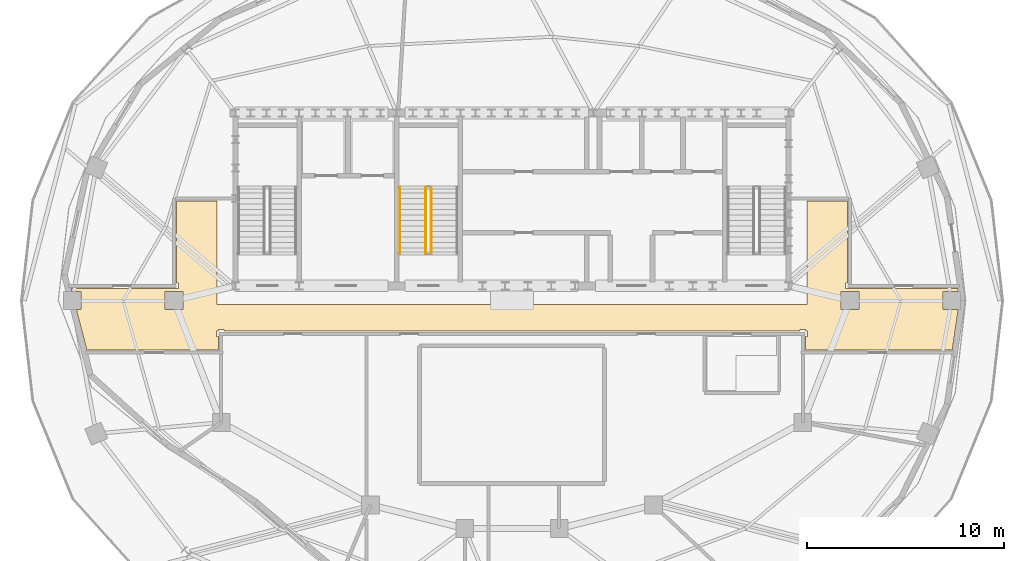
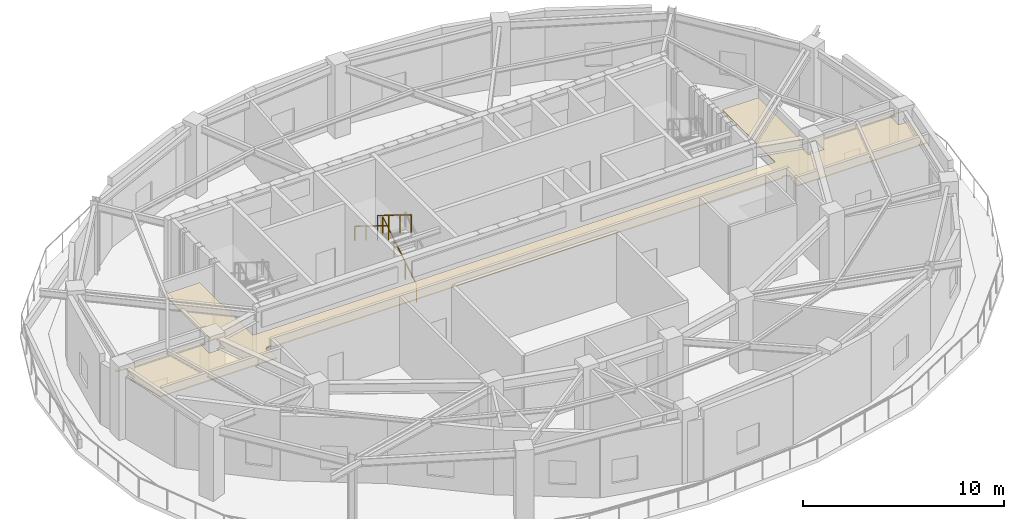
# One storey, part 9 of 10: 3 railings, 1 covering.
"""IFC4 building model written with IfcOpenShell, lengths in metres."""

from ifc_helpers import new_model, si_unit, direction, frame, origin, origin_2d, place, context, subcontext, project, spatial, polyline, rectangle, outline, extrude, material, layer, layer_set, type_object, element, save


model = new_model("IFC4")

# Units and contexts
model_context = context("Model", 3, precision=1e-05, world=origin(), true_north=direction((0.0, 1.0)))
body_context = subcontext(model_context, "Body", "Model", "MODEL_VIEW")
ifc_project = project(units=[si_unit("LENGTHUNIT", "METRE"), si_unit("AREAUNIT", "SQUARE_METRE"), si_unit("VOLUMEUNIT", "CUBIC_METRE"), si_unit("PLANEANGLEUNIT", "RADIAN"), si_unit("MASSUNIT", "GRAM", prefix="KILO")], contexts=[model_context])

# Site, building, storey
site_placement = place(None, origin())
site = spatial("IfcSite", under=ifc_project, at=site_placement, CompositionType="ELEMENT")
building_placement = place(site_placement, origin())
building = spatial("IfcBuilding", under=site, at=building_placement, Name="Haldorwick Loom Tower", CompositionType="ELEMENT")
storey_placement = place(building_placement, frame((0.0, 0.0, 273.0)))
storey = spatial("IfcBuildingStorey", under=building, at=storey_placement, Name="L74", CompositionType="ELEMENT", Elevation=273.0)

# Covering
ifc_material_1 = material(Name="Mineral Fibre Acoustic Ceiling Tile")
ifc_layer = layer(ifc_material_1, 0.054931640625, Name="Mineral Fibre Acoustic Ceiling Tile")
ifc_layer_set = layer_set([ifc_layer], Name="Mineral Fibre Acoustic Ceiling Tile")
covering_type = type_object("IfcCoveringType", Name="ARC-COV-CEIL2", PredefinedType="CEILING", material=ifc_layer_set)
covering_placement = place(storey_placement, frame((0.0, 0.0, 3.509033203125)))
element("IfcCovering", 1, at=covering_placement, inside=storey, type_object=covering_type, Name="L74 Acoustic Suspended Ceiling 1", PredefinedType="CEILING", context=body_context, shape_type="SweptSolid", body=[
    extrude(outline(polyline([(14.36474609375, 23.489990234375), (21.06005859375, 23.489990234375), (21.06005859375, 24.159912109375), (20.97998046875, 24.159912109375), (20.97802734375, 24.16015625), (20.97607421875, 24.160400390625), (20.97412109375, 24.160888671875), (20.972412109375, 24.16162109375), (20.970703125, 24.162353515625), (20.968994140625, 24.163330078125), (20.96728515625, 24.16455078125), (20.9658203125, 24.166015625), (20.964599609375, 24.167236328125), (20.96337890625, 24.1689453125), (20.96240234375, 24.170654296875), (20.96142578125, 24.17236328125), (20.9609375, 24.17431640625), (20.96044921875, 24.176025390625), (20.960205078125, 24.177978515625), (20.9599609375, 24.179931640625), (20.9599609375, 24.419921875), (20.960205078125, 24.422119140625), (20.96044921875, 24.423828125), (20.9609375, 24.42578125), (20.96142578125, 24.427734375), (20.96240234375, 24.429443359375), (20.96337890625, 24.43115234375), (20.964599609375, 24.4326171875), (20.9658203125, 24.43408203125), (20.96728515625, 24.435546875), (20.968994140625, 24.4365234375), (20.970703125, 24.4375), (20.972412109375, 24.4384765625), (20.97412109375, 24.439208984375), (20.97607421875, 24.439697265625), (20.97802734375, 24.43994140625), (20.97998046875, 24.43994140625), (21.06005859375, 24.43994140625), (21.06005859375, 24.52001953125), (21.06005859375, 24.52197265625), (21.060302734375, 24.52392578125), (21.060791015625, 24.52587890625), (21.0615234375, 24.527587890625), (21.0625, 24.529296875), (21.0634765625, 24.531005859375), (21.064453125, 24.53271484375), (21.06591796875, 24.5341796875), (21.0673828125, 24.535400390625), (21.06884765625, 24.53662109375), (21.070556640625, 24.53759765625), (21.072265625, 24.53857421875), (21.07421875, 24.5390625), (21.076171875, 24.53955078125), (21.077880859375, 24.539794921875), (21.080078125, 24.5400390625), (21.320068359375, 24.5400390625), (21.322021484375, 24.539794921875), (21.323974609375, 24.53955078125), (21.32568359375, 24.5390625), (21.32763671875, 24.53857421875), (21.329345703125, 24.53759765625), (21.3310546875, 24.53662109375), (21.332763671875, 24.535400390625), (21.333984375, 24.5341796875), (21.33544921875, 24.53271484375), (21.336669921875, 24.531005859375), (21.337646484375, 24.529296875), (21.33837890625, 24.527587890625), (21.339111328125, 24.52587890625), (21.339599609375, 24.52392578125), (21.33984375, 24.52197265625), (21.340087890625, 24.52001953125), (21.340087890625, 24.43994140625), (50.659912109375, 24.43994140625), (50.659912109375, 24.52001953125), (50.66015625, 24.52197265625), (50.660400390625, 24.52392578125), (50.660888671875, 24.52587890625), (50.66162109375, 24.527587890625), (50.662353515625, 24.529296875), (50.663330078125, 24.531005859375), (50.66455078125, 24.53271484375), (50.666015625, 24.5341796875), (50.667236328125, 24.535400390625), (50.6689453125, 24.53662109375), (50.670654296875, 24.53759765625), (50.67236328125, 24.53857421875), (50.67431640625, 24.5390625), (50.676025390625, 24.53955078125), (50.677978515625, 24.539794921875), (50.679931640625, 24.5400390625), (50.919921875, 24.5400390625), (50.922119140625, 24.539794921875), (50.923828125, 24.53955078125), (50.92578125, 24.5390625), (50.927734375, 24.53857421875), (50.929443359375, 24.53759765625), (50.93115234375, 24.53662109375), (50.9326171875, 24.535400390625), (50.93408203125, 24.5341796875), (50.935546875, 24.53271484375), (50.9365234375, 24.531005859375), (50.9375, 24.529296875), (50.9384765625, 24.527587890625), (50.939208984375, 24.52587890625), (50.939697265625, 24.52392578125), (50.93994140625, 24.52197265625), (50.93994140625, 24.52001953125), (50.93994140625, 24.43994140625), (51.02001953125, 24.43994140625), (51.02197265625, 24.43994140625), (51.02392578125, 24.439697265625), (51.02587890625, 24.439208984375), (51.027587890625, 24.4384765625), (51.029296875, 24.4375), (51.031005859375, 24.4365234375), (51.03271484375, 24.435546875), (51.0341796875, 24.43408203125), (51.035400390625, 24.4326171875), (51.03662109375, 24.43115234375), (51.03759765625, 24.429443359375), (51.03857421875, 24.427734375), (51.0390625, 24.42578125), (51.03955078125, 24.423828125), (51.039794921875, 24.422119140625), (51.0400390625, 24.419921875), (51.0400390625, 24.179931640625), (51.039794921875, 24.177978515625), (51.03955078125, 24.176025390625), (51.0390625, 24.17431640625), (51.03857421875, 24.17236328125), (51.03759765625, 24.170654296875), (51.03662109375, 24.1689453125), (51.035400390625, 24.167236328125), (51.0341796875, 24.166015625), (51.03271484375, 24.16455078125), (51.031005859375, 24.163330078125), (51.029296875, 24.162353515625), (51.027587890625, 24.16162109375), (51.02587890625, 24.160888671875), (51.02392578125, 24.160400390625), (51.02197265625, 24.16015625), (51.02001953125, 24.159912109375), (50.93994140625, 24.159912109375), (50.93994140625, 23.489990234375), (58.40283203125, 23.489990234375), (58.706298828125, 25.5419921875), (57.9228515625, 25.5419921875), (57.9228515625, 26.4580078125), (58.706298828125, 26.4580078125), (58.683837890625, 26.610107421875), (52.97998046875, 26.610107421875), (52.97802734375, 26.610107421875), (52.97607421875, 26.6103515625), (52.97412109375, 26.61083984375), (52.972412109375, 26.611572265625), (52.970703125, 26.6123046875), (52.968994140625, 26.61328125), (52.96728515625, 26.614501953125), (52.9658203125, 26.615966796875), (52.964599609375, 26.6171875), (52.96337890625, 26.618896484375), (52.96240234375, 26.62060546875), (52.96142578125, 26.622314453125), (52.9609375, 26.624267578125), (52.96044921875, 26.626220703125), (52.960205078125, 26.6279296875), (52.9599609375, 26.6298828125), (52.9599609375, 26.8701171875), (52.960205078125, 26.8720703125), (52.96044921875, 26.873779296875), (52.9609375, 26.875732421875), (52.96142578125, 26.877685546875), (52.96240234375, 26.87939453125), (52.96337890625, 26.881103515625), (52.964599609375, 26.8828125), (52.9658203125, 26.884033203125), (52.96728515625, 26.885498046875), (52.968994140625, 26.88671875), (52.970703125, 26.8876953125), (52.972412109375, 26.888427734375), (52.97412109375, 26.88916015625), (52.97607421875, 26.8896484375), (52.97802734375, 26.889892578125), (52.97998046875, 26.889892578125), (53.06005859375, 26.889892578125), (53.06005859375, 31.06005859375), (51.0, 31.06005859375), (51.0, 25.800048828125), (21.0, 25.800048828125), (21.0, 31.06005859375), (18.93994140625, 31.06005859375), (18.93994140625, 26.889892578125), (19.02001953125, 26.889892578125), (19.02197265625, 26.889892578125), (19.02392578125, 26.8896484375), (19.02587890625, 26.88916015625), (19.027587890625, 26.888427734375), (19.029296875, 26.8876953125), (19.031005859375, 26.88671875), (19.03271484375, 26.885498046875), (19.0341796875, 26.884033203125), (19.035400390625, 26.8828125), (19.03662109375, 26.881103515625), (19.03759765625, 26.87939453125), (19.03857421875, 26.877685546875), (19.0390625, 26.875732421875), (19.03955078125, 26.873779296875), (19.039794921875, 26.8720703125), (19.0400390625, 26.8701171875), (19.0400390625, 26.6298828125), (19.039794921875, 26.6279296875), (19.03955078125, 26.626220703125), (19.0390625, 26.624267578125), (19.03857421875, 26.622314453125), (19.03759765625, 26.62060546875), (19.03662109375, 26.618896484375), (19.035400390625, 26.6171875), (19.0341796875, 26.615966796875), (19.03271484375, 26.614501953125), (19.031005859375, 26.61328125), (19.029296875, 26.6123046875), (19.027587890625, 26.611572265625), (19.02587890625, 26.61083984375), (19.02392578125, 26.6103515625), (19.02197265625, 26.610107421875), (19.02001953125, 26.610107421875), (13.555419921875, 26.610107421875), (13.5947265625, 26.4580078125), (14.0771484375, 26.4580078125), (14.0771484375, 25.5419921875), (13.832275390625, 25.5419921875), (14.36474609375, 23.489990234375)]), holes=[polyline([(19.258056640625, 26.4580078125), (19.258056640625, 25.5419921875), (18.342041015625, 25.5419921875), (18.342041015625, 26.4580078125), (19.258056640625, 26.4580078125)]), polyline([(53.657958984375, 26.4580078125), (53.657958984375, 25.5419921875), (52.741943359375, 25.5419921875), (52.741943359375, 26.4580078125), (53.657958984375, 26.4580078125)])]), origin(), (0.0, 0.0, 1.0), 0.054931640625),
])

# Railings
ifc_material_2 = material(Name="Steel CSA G40.21 350W", Category="steel")
railing_type_1 = type_object("IfcRailingType", Name="ARC-RLG-GUARD112", PredefinedType="GUARDRAIL", material=ifc_material_2)
railing_1_placement = place(storey_placement, frame((31.89990234375, 28.39990234375, 0.173095703125)))
element("IfcRailing", 2, at=railing_1_placement, inside=storey, type_object=railing_type_1, Name="L74 ST-03 stair guard 1", PredefinedType="GUARDRAIL", context=body_context, shape_type="SweptSolid", body=[
    extrude(rectangle(XDim=0.048095703125, YDim=0.048095703125, at=origin_2d()), frame((0.0, 0.0, 1.076171875), z_axis=(0.0, 0.850623216509, 0.525775754039), x_axis=(-1.0, 0.0, 0.0)), (0.0, 0.0, 1.0), 3.9501953125),
    extrude(rectangle(XDim=0.0419921875, YDim=0.0419921875, at=origin_2d()), origin(), (0.0, 0.0, 1.0), 1.052001953125),
    extrude(rectangle(XDim=0.0419921875, YDim=0.0419921875, at=origin_2d()), frame((0.0, 1.1201171875, 0.6923828125)), (0.0, 0.0, 1.0), 1.052001953125),
    extrude(rectangle(XDim=0.0419921875, YDim=0.0419921875, at=origin_2d()), frame((0.0, 2.239990234375, 1.384521484375)), (0.0, 0.0, 1.0), 1.052001953125),
    extrude(rectangle(XDim=0.0419921875, YDim=0.0419921875, at=origin_2d()), frame((0.0, 3.360107421875, 2.076904296875)), (0.0, 0.0, 1.0), 1.052001953125),
])
railing_2_placement = place(storey_placement, frame((31.60009765625, 31.760009765625, 2.423095703125)))
element("IfcRailing", 3, at=railing_2_placement, inside=storey, type_object=railing_type_1, Name="L74 ST-03 stair guard 3", PredefinedType="GUARDRAIL", context=body_context, shape_type="SweptSolid", body=[
    extrude(rectangle(XDim=0.048095703125, YDim=0.048095703125, at=origin_2d()), frame((0.0, 0.0, 1.076171875), z_axis=(0.0, -0.850623216509, 0.525775754039), x_axis=(1.0, 0.0, 0.0)), (0.0, 0.0, 1.0), 3.9501953125),
    extrude(rectangle(XDim=0.0419921875, YDim=0.0419921875, at=origin_2d()), origin(), (0.0, 0.0, 1.0), 1.052001953125),
    extrude(rectangle(XDim=0.0419921875, YDim=0.0419921875, at=origin_2d()), frame((0.0, -1.1201171875, 0.6923828125)), (0.0, 0.0, 1.0), 1.052001953125),
    extrude(rectangle(XDim=0.0419921875, YDim=0.0419921875, at=origin_2d()), frame((0.0, -2.239990234375, 1.384521484375)), (0.0, 0.0, 1.0), 1.052001953125),
    extrude(rectangle(XDim=0.0419921875, YDim=0.0419921875, at=origin_2d()), frame((0.0, -3.360107421875, 2.076904296875)), (0.0, 0.0, 1.0), 1.052001953125),
])
railing_type_2 = type_object("IfcRailingType", Name="ARC-RLG-HAND092", PredefinedType="HANDRAIL", material=ifc_material_2)
railing_3_placement = place(storey_placement, frame((30.300048828125, 31.760009765625, 2.423095703125)))
element("IfcRailing", 4, at=railing_3_placement, inside=storey, type_object=railing_type_2, Name="L74 ST-03 stair handrail 2", PredefinedType="HANDRAIL", context=body_context, shape_type="SweptSolid", body=[
    extrude(rectangle(XDim=0.048095703125, YDim=0.048095703125, at=origin_2d()), frame((0.0, 0.0, 0.8759765625), z_axis=(0.0, -0.850623216509, 0.525775754039), x_axis=(1.0, 0.0, 0.0)), (0.0, 0.0, 1.0), 3.9501953125),
    extrude(rectangle(XDim=0.0419921875, YDim=0.0419921875, at=origin_2d()), origin(), (0.0, 0.0, 1.0), 0.851806640625),
    extrude(rectangle(XDim=0.0419921875, YDim=0.0419921875, at=origin_2d()), frame((0.0, -1.1201171875, 0.6923828125)), (0.0, 0.0, 1.0), 0.851806640625),
    extrude(rectangle(XDim=0.0419921875, YDim=0.0419921875, at=origin_2d()), frame((0.0, -2.239990234375, 1.384521484375)), (0.0, 0.0, 1.0), 0.851806640625),
    extrude(rectangle(XDim=0.0419921875, YDim=0.0419921875, at=origin_2d()), frame((0.0, -3.360107421875, 2.076904296875)), (0.0, 0.0, 1.0), 0.851806640625),
])

save(model, "model.ifc")
